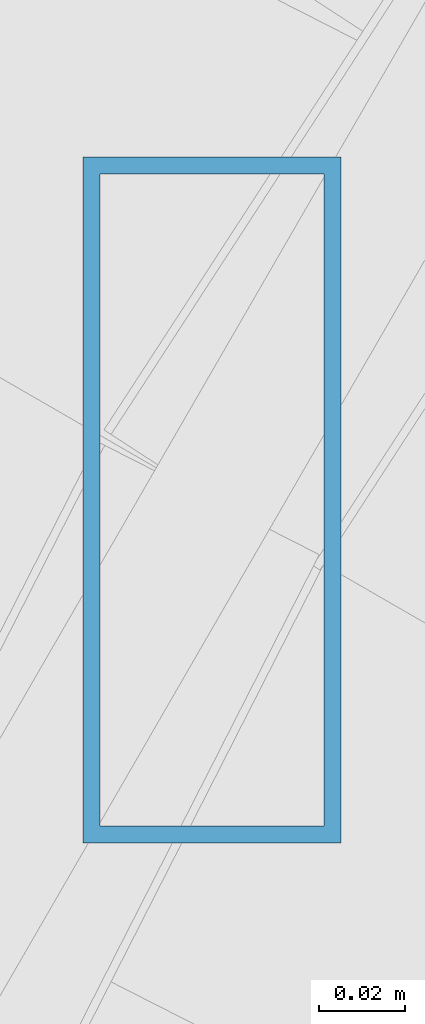
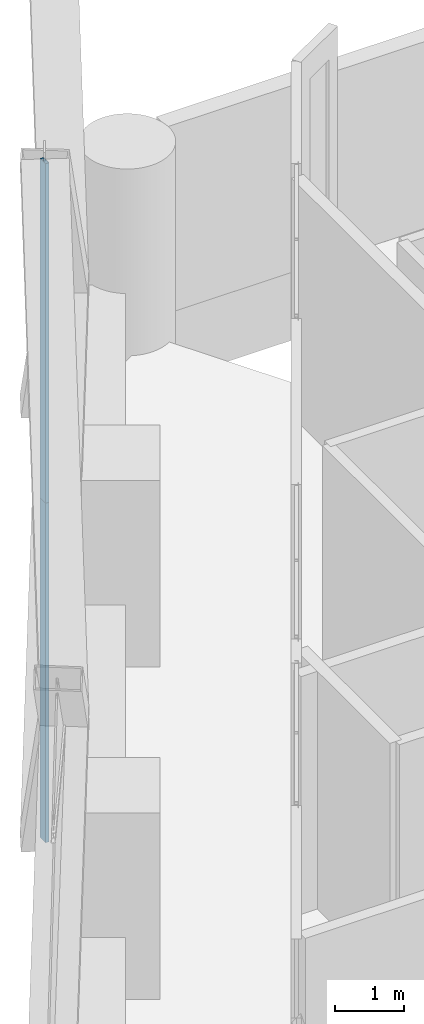
# One storey, part 25 of 46: 2 members, 1 element without a shape of its own.
"""IFC4 building model written with IfcOpenShell, lengths in metres."""

from ifc_helpers import new_model, si_unit, direction, frame, origin, origin_2d, place, context, subcontext, project, spatial, hollow_rectangle, extrude, material, material_profile, profile_set, type_object, element, aggregate, save


model = new_model("IFC4")

# Units and contexts
model_context = context("Model", 3, precision=1e-05, world=origin(), true_north=direction((0.0, 1.0)))
body_context = subcontext(model_context, "Body", "Model", "MODEL_VIEW")
ifc_project = project(units=[si_unit("LENGTHUNIT", "METRE"), si_unit("AREAUNIT", "SQUARE_METRE"), si_unit("VOLUMEUNIT", "CUBIC_METRE"), si_unit("PLANEANGLEUNIT", "RADIAN"), si_unit("MASSUNIT", "GRAM", prefix="KILO")], contexts=[model_context])

# Site, building, storey
site_placement = place(None, origin())
site = spatial("IfcSite", under=ifc_project, at=site_placement, CompositionType="ELEMENT")
building_placement = place(site_placement, origin())
building = spatial("IfcBuilding", under=site, at=building_placement, Name="Ostrander Bayou Hotel Tower", CompositionType="ELEMENT")
storey_placement = place(building_placement, frame((0.0, 0.0, 23.5)))
storey = spatial("IfcBuildingStorey", under=building, at=storey_placement, Name="L05", CompositionType="ELEMENT", Elevation=23.5)

# Curtain wall, members
ifc_material_1 = material(Name="Aluminium and clear glass", Category="aluminium")
curtain_wall_type = type_object("IfcCurtainWallType", Name="CW-LAT lattice glazing", PredefinedType="NOTDEFINED", material=ifc_material_1)
curtain_wall_placement = place(storey_placement, origin())
curtain_wall = element("IfcCurtainWall", 1, at=curtain_wall_placement, inside=storey, type_object=curtain_wall_type, Name="CW-LAT L05 NW 1", PredefinedType="NOTDEFINED")
ifc_material_2 = material(Name="Aluminium", Category="aluminium")
ifc_material_profile = material_profile(ifc_material_2, hollow_rectangle(XDim=0.06005859375, YDim=0.159912109375, WallThickness=0.00390625, at=origin_2d()))
ifc_profile_set = profile_set([ifc_material_profile], Name="Aluminium")
member_type = type_object("IfcMemberType", Name="CW-LA mullion 60 x 160 mm", PredefinedType="MULLION", material=ifc_profile_set)
member_1_placement = place(storey_placement, frame((-19.11328125, 11.034912109375, -0.60009765625), z_axis=(0.0, 0.0, 1.0), x_axis=(1.0, 0.0, 0.0)))
member_1 = element("IfcMember", 2, at=member_1_placement, type_object=member_type, Name="CW-LAT mullion 4", PredefinedType="MULLION", context=body_context, shape_type="SweptSolid", body=[
    extrude(hollow_rectangle(XDim=0.06005859375, YDim=0.159912109375, WallThickness=0.00390625, at=origin_2d()), origin(), (0.0, 0.0, 1.0), 6.0),
])
member_2_placement = place(storey_placement, frame((-19.11328125, 11.034912109375, 5.39990234375), z_axis=(0.0, 0.0, 1.0), x_axis=(1.0, 0.0, 0.0)))
member_2 = element("IfcMember", 3, at=member_2_placement, type_object=member_type, Name="CW-LAT mullion 5", PredefinedType="MULLION", context=body_context, shape_type="SweptSolid", body=[
    extrude(hollow_rectangle(XDim=0.06005859375, YDim=0.159912109375, WallThickness=0.00390625, at=origin_2d()), origin(), (0.0, 0.0, 1.0), 6.0),
])
aggregate(curtain_wall, [member_1, member_2])

save(model, "model.ifc")
